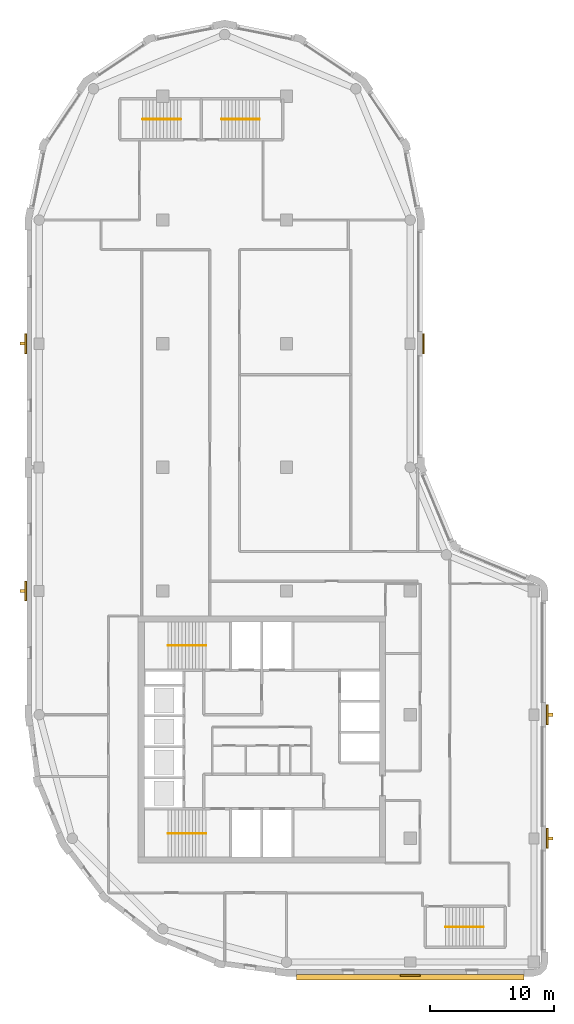
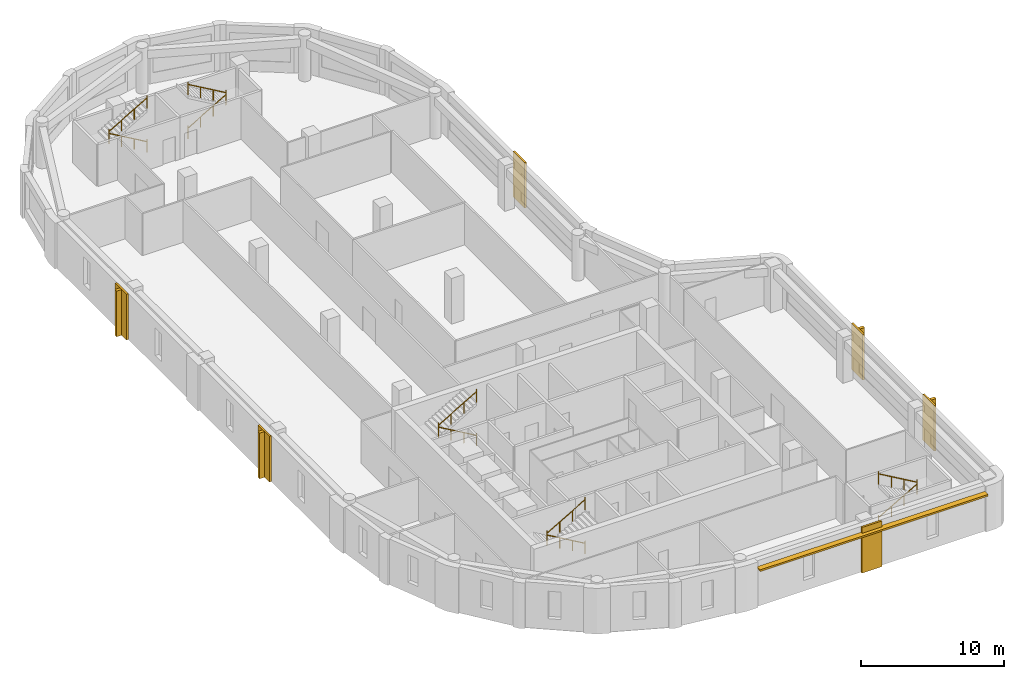
# One storey, part 7 of 8: 10 railings, 6 coverings, 5 shading devices.
"""IFC4 building model written with IfcOpenShell, lengths in metres."""

from ifc_helpers import new_model, si_unit, direction, frame, origin, origin_2d, place, context, subcontext, project, spatial, polyline, rectangle, circle, outline, extrude, material, layer, layer_set, type_object, element, save


model = new_model("IFC4")

# Units and contexts
model_context = context("Model", 3, precision=1e-05, world=origin(), true_north=direction((0.0, 1.0)))
body_context = subcontext(model_context, "Body", "Model", "MODEL_VIEW")
ifc_project = project(units=[si_unit("LENGTHUNIT", "METRE"), si_unit("AREAUNIT", "SQUARE_METRE"), si_unit("VOLUMEUNIT", "CUBIC_METRE"), si_unit("PLANEANGLEUNIT", "RADIAN"), si_unit("MASSUNIT", "GRAM", prefix="KILO")], contexts=[model_context])

# Site, building, storey
site_placement = place(None, origin())
site = spatial("IfcSite", under=ifc_project, at=site_placement, CompositionType="ELEMENT")
building_placement = place(site_placement, origin())
building = spatial("IfcBuilding", under=site, at=building_placement, Name="Qaws Garden Tower", CompositionType="ELEMENT")
storey_placement = place(building_placement, frame((0.0, 0.0, 309.89990234375)))
storey = spatial("IfcBuildingStorey", under=building, at=storey_placement, Name="L75", CompositionType="ELEMENT", Elevation=309.89990234375)

# Shading devices
ifc_material_1 = material(Name="Clay facing brick masonry", Category="masonry")
ifc_layer_1 = layer(ifc_material_1, 0.14990234375)
ifc_layer_set_1 = layer_set([ifc_layer_1], Name="Clay facing brick masonry")
shading_device_type_1 = type_object("IfcShadingDeviceType", Name="Brick sunshade band 450 x 150", PredefinedType="JALOUSIE", material=ifc_layer_set_1)
shading_device_placement = place(storey_placement, frame((0.0, 0.0, 3.25)))
element("IfcShadingDevice", 1, at=shading_device_placement, inside=storey, type_object=shading_device_type_1, Name="SUNSHADE 00", PredefinedType="JALOUSIE", context=body_context, shape_type="SweptSolid", body=[
    extrude(outline(polyline([(20.800048828125, -1.0), (20.800048828125, -1.449951171875), (39.199951171875, -1.449951171875), (39.199951171875, -1.0), (30.800048828125, -1.0), (30.800048828125, -1.14990234375), (29.199951171875, -1.14990234375), (29.199951171875, -1.0), (20.800048828125, -1.0)])), origin(), (0.0, 0.0, 1.0), 0.150146484375),
])
ifc_material_2 = material(Name="Clay facing brick masonry", Category="masonry")
ifc_layer_2 = layer(ifc_material_2, 0.25)
ifc_layer_set_2 = layer_set([ifc_layer_2], Name="Clay facing brick masonry")
shading_device_type_2 = type_object("IfcShadingDeviceType", Name="Brick-faced fin 250 x 400", PredefinedType="USERDEFINED", material=ifc_layer_set_2)
for number, where, z_axis, x_axis, name in (
    (2, (41.35009765625, 10.0, 0.000244140625), (0.0, 0.0, 1.0), (0.0, 1.0, 0.0), "FIN 03"),
    (3, (41.35009765625, 20.0, 0.000244140625), (0.0, 0.0, 1.0), (0.0, 1.0, 0.0), "FIN 04"),
    (4, (-1.35009765625, 50.0, 0.000244140625), (0.0, 0.0, 1.0), (0.0, -1.0, 0.0), "FIN 18"),
    (5, (-1.35009765625, 30.0, 0.000244140625), (0.0, 0.0, 1.0), (0.0, -1.0, 0.0), "FIN 20"),
):
    element("IfcShadingDevice", number, at=place(storey_placement, frame(where, z_axis=z_axis, x_axis=x_axis)), inside=storey, type_object=shading_device_type_2, Name=name, ObjectType="FIN", PredefinedType="USERDEFINED", context=body_context, shape_type="SweptSolid", body=[
        extrude(rectangle(XDim=0.25, YDim=0.39990234375, at=origin_2d()), origin(), (0.0, 0.0, 1.0), 3.89990234375),
    ])

# Coverings
ifc_material_3 = material(Name="Buff clay facing brick masonry", Category="masonry")
ifc_layer_3 = layer(ifc_material_3, 0.14990234375)
ifc_layer_set_3 = layer_set([ifc_layer_3], Name="Buff clay facing brick masonry")
covering_type = type_object("IfcCoveringType", Name="Buff brick pilaster facing 150 x 1600", PredefinedType="CLADDING", material=ifc_layer_set_3)
placement = place(storey_placement, origin())
element("IfcCovering", 6, at=placement, inside=storey, type_object=covering_type, Name="E-L75-pier-01", PredefinedType="CLADDING", context=body_context, shape_type="SweptSolid", body=[
    extrude(outline(polyline([(29.199951171875, -1.0), (30.800048828125, -1.0), (30.800048828125, -1.14990234375), (29.199951171875, -1.14990234375), (29.199951171875, -1.0)])), origin(), (0.0, 0.0, 1.0), 3.900146484375),
])
element("IfcCovering", 7, at=placement, inside=storey, type_object=covering_type, Name="E-L75-pier-03", PredefinedType="CLADDING", context=body_context, shape_type="SweptSolid", body=[
    extrude(outline(polyline([(41.0, 9.199951171875), (41.0, 10.800048828125), (41.14990234375, 10.800048828125), (41.14990234375, 9.199951171875), (41.0, 9.199951171875)])), origin(), (0.0, 0.0, 1.0), 3.900146484375),
])
element("IfcCovering", 8, at=placement, inside=storey, type_object=covering_type, Name="E-L75-pier-04", PredefinedType="CLADDING", context=body_context, shape_type="SweptSolid", body=[
    extrude(outline(polyline([(41.0, 19.199951171875), (41.0, 20.800048828125), (41.14990234375, 20.800048828125), (41.14990234375, 19.199951171875), (41.0, 19.199951171875)])), origin(), (0.0, 0.0, 1.0), 3.900146484375),
])
element("IfcCovering", 9, at=placement, inside=storey, type_object=covering_type, Name="E-L75-pier-08", PredefinedType="CLADDING", context=body_context, shape_type="SweptSolid", body=[
    extrude(outline(polyline([(31.0, 49.199951171875), (31.0, 50.800048828125), (31.14990234375, 50.800048828125), (31.14990234375, 49.199951171875), (31.0, 49.199951171875)])), origin(), (0.0, 0.0, 1.0), 3.900146484375),
])
element("IfcCovering", 10, at=placement, inside=storey, type_object=covering_type, Name="E-L75-pier-18", PredefinedType="CLADDING", context=body_context, shape_type="SweptSolid", body=[
    extrude(outline(polyline([(-1.0, 50.800048828125), (-1.0, 49.199951171875), (-1.14990234375, 49.199951171875), (-1.14990234375, 50.800048828125), (-1.0, 50.800048828125)])), origin(), (0.0, 0.0, 1.0), 3.900146484375),
])
element("IfcCovering", 11, at=placement, inside=storey, type_object=covering_type, Name="E-L75-pier-20", PredefinedType="CLADDING", context=body_context, shape_type="SweptSolid", body=[
    extrude(outline(polyline([(-1.0, 30.800048828125), (-1.0, 29.199951171875), (-1.14990234375, 29.199951171875), (-1.14990234375, 30.800048828125), (-1.0, 30.800048828125)])), origin(), (0.0, 0.0, 1.0), 3.900146484375),
])

# Railings
ifc_material_4 = material(Name="Steel S355", Category="steel")
railing_type = type_object("IfcRailingType", Name="Stair handrail 900", PredefinedType="HANDRAIL", material=ifc_material_4)
railing_1_placement = place(storey_placement, frame((13.5, 10.39990234375, 0.16259765625)))
element("IfcRailing", 12, at=railing_1_placement, inside=storey, type_object=railing_type, Name="Stair 1 handrail", PredefinedType="HANDRAIL", context=body_context, shape_type="SweptSolid", body=[
    extrude(circle(Radius=0.02392578125, at=origin_2d()), frame((0.0, 0.0, 0.8759765625), z_axis=(-0.864890721111, 0.0, 0.501960198159), x_axis=(0.0, -1.0, 0.0)), (0.0, 0.0, 1.0), 3.561279296875),
    extrude(circle(Radius=0.02099609375, at=origin_2d()), origin(), (0.0, 0.0, 1.0), 1.06201171875),
    extrude(circle(Radius=0.02099609375, at=origin_2d()), frame((-1.026611328125, 0.0, 0.595947265625)), (0.0, 0.0, 1.0), 0.851806640625),
    extrude(circle(Radius=0.02099609375, at=origin_2d()), frame((-2.053466796875, 0.0, 1.191650390625)), (0.0, 0.0, 1.0), 0.851806640625),
    extrude(circle(Radius=0.02099609375, at=origin_2d()), frame((-3.080078125, 0.0, 1.78759765625)), (0.0, 0.0, 1.0), 1.06201171875),
])
railing_2_placement = place(storey_placement, frame((10.419921875, 10.39990234375, 2.112548828125)))
element("IfcRailing", 13, at=railing_2_placement, inside=storey, type_object=railing_type, Name="Stair 1 handrail", PredefinedType="HANDRAIL", context=body_context, shape_type="SweptSolid", body=[
    extrude(circle(Radius=0.02392578125, at=origin_2d()), frame((0.0, 0.0, 0.8759765625), z_axis=(0.864890721111, 0.0, 0.501960198159), x_axis=(0.0, 1.0, 0.0)), (0.0, 0.0, 1.0), 3.561279296875),
    extrude(circle(Radius=0.02099609375, at=origin_2d()), origin(), (0.0, 0.0, 1.0), 1.06201171875),
    extrude(circle(Radius=0.02099609375, at=origin_2d()), frame((1.026611328125, 0.0, 0.595947265625)), (0.0, 0.0, 1.0), 0.851806640625),
    extrude(circle(Radius=0.02099609375, at=origin_2d()), frame((2.053466796875, 0.0, 1.191650390625)), (0.0, 0.0, 1.0), 0.851806640625),
    extrude(circle(Radius=0.02099609375, at=origin_2d()), frame((3.080078125, 0.0, 1.78759765625)), (0.0, 0.0, 1.0), 1.06201171875),
])
railing_3_placement = place(storey_placement, frame((13.5, 25.60009765625, 0.16259765625)))
element("IfcRailing", 14, at=railing_3_placement, inside=storey, type_object=railing_type, Name="Stair 4 handrail", PredefinedType="HANDRAIL", context=body_context, shape_type="SweptSolid", body=[
    extrude(circle(Radius=0.02392578125, at=origin_2d()), frame((0.0, 0.0, 0.8759765625), z_axis=(-0.864890721111, 0.0, 0.501960198159), x_axis=(0.0, -1.0, 0.0)), (0.0, 0.0, 1.0), 3.561279296875),
    extrude(circle(Radius=0.02099609375, at=origin_2d()), origin(), (0.0, 0.0, 1.0), 1.06201171875),
    extrude(circle(Radius=0.02099609375, at=origin_2d()), frame((-1.026611328125, 0.0, 0.595947265625)), (0.0, 0.0, 1.0), 0.851806640625),
    extrude(circle(Radius=0.02099609375, at=origin_2d()), frame((-2.053466796875, 0.0, 1.191650390625)), (0.0, 0.0, 1.0), 0.851806640625),
    extrude(circle(Radius=0.02099609375, at=origin_2d()), frame((-3.080078125, 0.0, 1.78759765625)), (0.0, 0.0, 1.0), 1.06201171875),
])
railing_4_placement = place(storey_placement, frame((10.419921875, 25.60009765625, 2.112548828125)))
element("IfcRailing", 15, at=railing_4_placement, inside=storey, type_object=railing_type, Name="Stair 4 handrail", PredefinedType="HANDRAIL", context=body_context, shape_type="SweptSolid", body=[
    extrude(circle(Radius=0.02392578125, at=origin_2d()), frame((0.0, 0.0, 0.8759765625), z_axis=(0.864890721111, 0.0, 0.501960198159), x_axis=(0.0, 1.0, 0.0)), (0.0, 0.0, 1.0), 3.561279296875),
    extrude(circle(Radius=0.02099609375, at=origin_2d()), origin(), (0.0, 0.0, 1.0), 1.06201171875),
    extrude(circle(Radius=0.02099609375, at=origin_2d()), frame((1.026611328125, 0.0, 0.595947265625)), (0.0, 0.0, 1.0), 0.851806640625),
    extrude(circle(Radius=0.02099609375, at=origin_2d()), frame((2.053466796875, 0.0, 1.191650390625)), (0.0, 0.0, 1.0), 0.851806640625),
    extrude(circle(Radius=0.02099609375, at=origin_2d()), frame((3.080078125, 0.0, 1.78759765625)), (0.0, 0.0, 1.0), 1.06201171875),
])
railing_5_placement = place(storey_placement, frame((32.85009765625, 2.85009765625, 0.16259765625)))
element("IfcRailing", 16, at=railing_5_placement, inside=storey, type_object=railing_type, Name="Stair 5 handrail", PredefinedType="HANDRAIL", context=body_context, shape_type="SweptSolid", body=[
    extrude(circle(Radius=0.02392578125, at=origin_2d()), frame((0.0, 0.0, 0.8759765625), z_axis=(0.864873446163, 0.0, 0.501989962173), x_axis=(0.0, 1.0, 0.0)), (0.0, 0.0, 1.0), 3.56103515625),
    extrude(circle(Radius=0.02099609375, at=origin_2d()), origin(), (0.0, 0.0, 1.0), 1.06201171875),
    extrude(circle(Radius=0.02099609375, at=origin_2d()), frame((1.026611328125, 0.0, 0.595947265625)), (0.0, 0.0, 1.0), 0.851806640625),
    extrude(circle(Radius=0.02099609375, at=origin_2d()), frame((2.05322265625, 0.0, 1.191650390625)), (0.0, 0.0, 1.0), 0.851806640625),
    extrude(circle(Radius=0.02099609375, at=origin_2d()), frame((3.079833984375, 0.0, 1.78759765625)), (0.0, 0.0, 1.0), 1.06201171875),
])
for number, where, name in (
    (17, (35.929931640625, 2.85009765625, 2.112548828125), "Stair 5 handrail"),
    (18, (11.449951171875, 68.14990234375, 0.16259765625), "Stair 6 handrail"),
):
    element("IfcRailing", number, at=place(storey_placement, frame(where)), inside=storey, type_object=railing_type, Name=name, PredefinedType="HANDRAIL", context=body_context, shape_type="SweptSolid", body=[
        extrude(circle(Radius=0.02392578125, at=origin_2d()), frame((0.0, 0.0, 0.8759765625), z_axis=(-0.864873446163, 0.0, 0.501989962173), x_axis=(0.0, -1.0, 0.0)), (0.0, 0.0, 1.0), 3.56103515625),
        extrude(circle(Radius=0.02099609375, at=origin_2d()), origin(), (0.0, 0.0, 1.0), 1.06201171875),
        extrude(circle(Radius=0.02099609375, at=origin_2d()), frame((-1.026611328125, 0.0, 0.595947265625)), (0.0, 0.0, 1.0), 0.851806640625),
        extrude(circle(Radius=0.02099609375, at=origin_2d()), frame((-2.05322265625, 0.0, 1.191650390625)), (0.0, 0.0, 1.0), 0.851806640625),
        extrude(circle(Radius=0.02099609375, at=origin_2d()), frame((-3.079833984375, 0.0, 1.78759765625)), (0.0, 0.0, 1.0), 1.06201171875),
    ])
railing_6_placement = place(storey_placement, frame((8.3701171875, 68.14990234375, 2.112548828125)))
element("IfcRailing", 19, at=railing_6_placement, inside=storey, type_object=railing_type, Name="Stair 6 handrail", PredefinedType="HANDRAIL", context=body_context, shape_type="SweptSolid", body=[
    extrude(circle(Radius=0.02392578125, at=origin_2d()), frame((0.0, 0.0, 0.8759765625), z_axis=(0.864873446163, 0.0, 0.501989962173), x_axis=(0.0, 1.0, 0.0)), (0.0, 0.0, 1.0), 3.56103515625),
    extrude(circle(Radius=0.02099609375, at=origin_2d()), origin(), (0.0, 0.0, 1.0), 1.06201171875),
    extrude(circle(Radius=0.02099609375, at=origin_2d()), frame((1.026611328125, 0.0, 0.595947265625)), (0.0, 0.0, 1.0), 0.851806640625),
    extrude(circle(Radius=0.02099609375, at=origin_2d()), frame((2.05322265625, 0.0, 1.191650390625)), (0.0, 0.0, 1.0), 0.851806640625),
    extrude(circle(Radius=0.02099609375, at=origin_2d()), frame((3.079833984375, 0.0, 1.78759765625)), (0.0, 0.0, 1.0), 1.06201171875),
])
railing_7_placement = place(storey_placement, frame((14.75, 68.14990234375, 0.16259765625)))
element("IfcRailing", 20, at=railing_7_placement, inside=storey, type_object=railing_type, Name="Stair 7 handrail", PredefinedType="HANDRAIL", context=body_context, shape_type="SweptSolid", body=[
    extrude(circle(Radius=0.02392578125, at=origin_2d()), frame((0.0, 0.0, 0.8759765625), z_axis=(0.864890721111, 0.0, 0.501960198159), x_axis=(0.0, 1.0, 0.0)), (0.0, 0.0, 1.0), 3.561279296875),
    extrude(circle(Radius=0.02099609375, at=origin_2d()), origin(), (0.0, 0.0, 1.0), 1.06201171875),
    extrude(circle(Radius=0.02099609375, at=origin_2d()), frame((1.026611328125, 0.0, 0.595947265625)), (0.0, 0.0, 1.0), 0.851806640625),
    extrude(circle(Radius=0.02099609375, at=origin_2d()), frame((2.053466796875, 0.0, 1.191650390625)), (0.0, 0.0, 1.0), 0.851806640625),
    extrude(circle(Radius=0.02099609375, at=origin_2d()), frame((3.080078125, 0.0, 1.78759765625)), (0.0, 0.0, 1.0), 1.06201171875),
])
railing_8_placement = place(storey_placement, frame((17.830078125, 68.14990234375, 2.112548828125)))
element("IfcRailing", 21, at=railing_8_placement, inside=storey, type_object=railing_type, Name="Stair 7 handrail", PredefinedType="HANDRAIL", context=body_context, shape_type="SweptSolid", body=[
    extrude(circle(Radius=0.02392578125, at=origin_2d()), frame((0.0, 0.0, 0.8759765625), z_axis=(-0.864890721111, 0.0, 0.501960198159), x_axis=(0.0, -1.0, 0.0)), (0.0, 0.0, 1.0), 3.561279296875),
    extrude(circle(Radius=0.02099609375, at=origin_2d()), origin(), (0.0, 0.0, 1.0), 1.06201171875),
    extrude(circle(Radius=0.02099609375, at=origin_2d()), frame((-1.026611328125, 0.0, 0.595947265625)), (0.0, 0.0, 1.0), 0.851806640625),
    extrude(circle(Radius=0.02099609375, at=origin_2d()), frame((-2.053466796875, 0.0, 1.191650390625)), (0.0, 0.0, 1.0), 0.851806640625),
    extrude(circle(Radius=0.02099609375, at=origin_2d()), frame((-3.080078125, 0.0, 1.78759765625)), (0.0, 0.0, 1.0), 1.06201171875),
])

save(model, "model.ifc")
